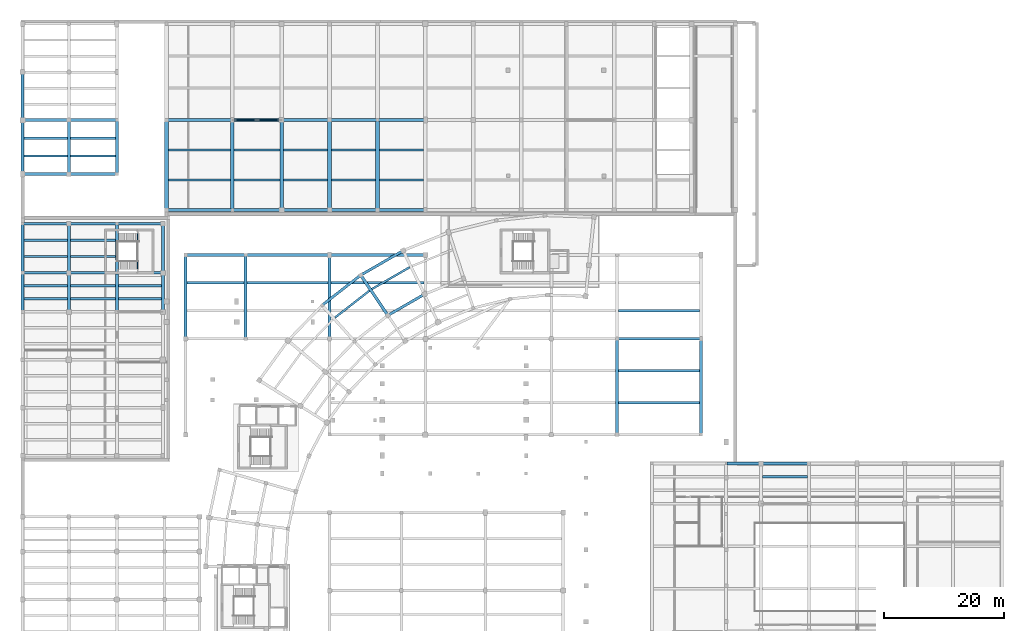
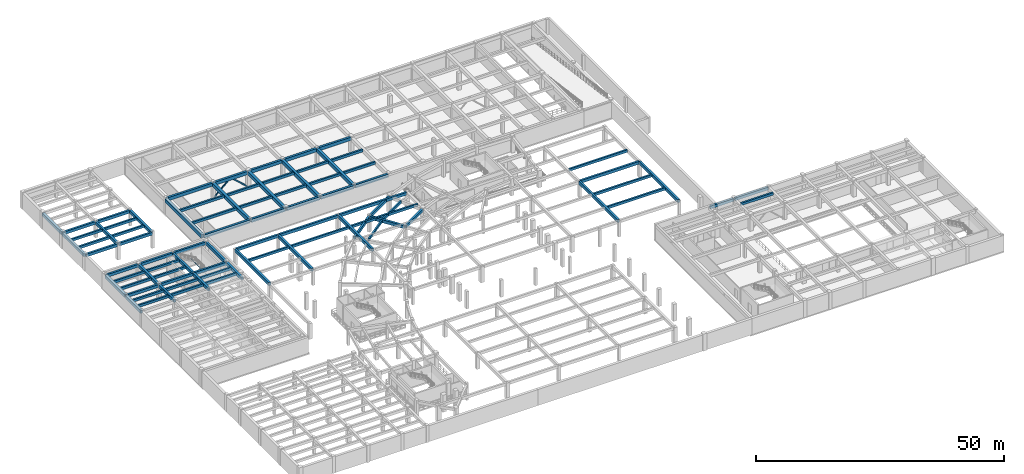
# One storey, part 6 of 35: 85 beams, 3 members.
"""IFC4 building model written with IfcOpenShell, lengths in metres."""

from ifc_helpers import new_model, si_unit, direction, frame, origin, origin_2d, place, context, subcontext, project, spatial, rectangle, hollow_rectangle, extrude, material, material_profile, profile_set, type_object, element, save


model = new_model("IFC4")

# Units and contexts
model_context = context("Model", 3, precision=1e-05, world=origin(), true_north=direction((0.0, 1.0)))
body_context = subcontext(model_context, "Body", "Model", "MODEL_VIEW")
ifc_project = project(units=[si_unit("LENGTHUNIT", "METRE"), si_unit("AREAUNIT", "SQUARE_METRE"), si_unit("VOLUMEUNIT", "CUBIC_METRE"), si_unit("PLANEANGLEUNIT", "RADIAN"), si_unit("MASSUNIT", "GRAM", prefix="KILO"), si_unit("THERMODYNAMICTEMPERATUREUNIT", "KELVIN"), si_unit("POWERUNIT", "WATT")], contexts=[model_context])

# Site, building, storey
site_placement = place(None, origin())
site = spatial("IfcSite", under=ifc_project, at=site_placement, CompositionType="ELEMENT")
building_placement = place(site_placement, origin())
building = spatial("IfcBuilding", under=site, at=building_placement, Name="Solvatero Civic Police Headquarters", CompositionType="ELEMENT")
storey_placement = place(building_placement, frame((0.0, 0.0, -4.199951171875)))
storey = spatial("IfcBuildingStorey", under=building, at=storey_placement, Name="B01", CompositionType="ELEMENT", Elevation=-4.199951171875)

# Beams
ifc_material_1 = material(Name="Concrete C40/50", Category="concrete")
ifc_material_profile_1 = material_profile(ifc_material_1, rectangle(XDim=0.35009765625, YDim=0.550048828125, at=origin_2d()), Name="RC 350x550")
ifc_profile_set_1 = profile_set([ifc_material_profile_1], Name="Concrete C40/50")
beam_type_1 = type_object("IfcBeamType", Name="BM-RC-350x550", PredefinedType="BEAM", material=ifc_profile_set_1)
for number, where, z_axis, x_axis, name in (
    (1, (69.3662109375, 75.937744140625, 3.625), (-0.866031812867, -0.49998889898, 0.0), (0.49998889898, -0.866031812867, 0.0), "Primary girder BM-R2-B01-ARC-CS2-B05"),
    (2, (62.656005859375, 72.0234375, 3.625), (-0.788014192221, -0.615657074074, 0.0), (0.615657074074, -0.788014192221, 0.0), "Primary girder BM-R2-B01-ARC-CS2-B06"),
):
    element("IfcBeam", number, at=place(storey_placement, frame(where, z_axis=z_axis, x_axis=x_axis)), inside=storey, type_object=beam_type_1, Name=name, PredefinedType="BEAM", context=body_context, shape_type="SweptSolid", body=[
        extrude(rectangle(XDim=0.35009765625, YDim=0.550048828125, at=origin_2d()), origin(), (0.0, 0.0, 1.0), 7.270751953125),
    ])
ifc_material_profile_2 = material_profile(ifc_material_1, rectangle(XDim=0.39990234375, YDim=0.60009765625, at=origin_2d()), Name="RC 400x600")
ifc_profile_set_2 = profile_set([ifc_material_profile_2], Name="Concrete C40/50")
beam_type_2 = type_object("IfcBeamType", Name="BM-RC-400x600", PredefinedType="BEAM", material=ifc_profile_set_2)
for number, where, z_axis, x_axis, name in (
    (3, (5.050048828125, 94.5, 3.599853515625), (1.0, 0.0, 0.0), (0.0, 1.0, 0.0), "Primary girder BM-R2-B01-V7NWB-SEC-1-1-S1"),
    (4, (5.050048828125, 97.5, 3.599853515625), (1.0, 0.0, 0.0), (0.0, 1.0, 0.0), "Primary girder BM-R2-B01-V7NWB-SEC-1-1-S2"),
):
    element("IfcBeam", number, at=place(storey_placement, frame(where, z_axis=z_axis, x_axis=x_axis)), inside=storey, type_object=beam_type_2, Name=name, PredefinedType="BEAM", context=body_context, shape_type="SweptSolid", body=[
        extrude(rectangle(XDim=0.39990234375, YDim=0.60009765625, at=origin_2d()), origin(), (0.0, 0.0, 1.0), 7.199951171875),
    ])
for number, where, z_axis, x_axis, name in (
    (5, (12.75, 94.5, 3.599853515625), (1.0, 0.0, 0.0), (0.0, 1.0, 0.0), "Primary girder BM-R2-B01-V7NWB-SEC-2-1-S1"),
    (6, (12.75, 97.5, 3.599853515625), (1.0, 0.0, 0.0), (0.0, 1.0, 0.0), "Primary girder BM-R2-B01-V7NWB-SEC-2-1-S2"),
):
    element("IfcBeam", number, at=place(storey_placement, frame(where, z_axis=z_axis, x_axis=x_axis)), inside=storey, type_object=beam_type_2, Name=name, PredefinedType="BEAM", context=body_context, shape_type="SweptSolid", body=[
        extrude(rectangle(XDim=0.39990234375, YDim=0.60009765625, at=origin_2d()), origin(), (0.0, 0.0, 1.0), 7.5),
    ])
beam_1_placement = place(storey_placement, frame((32.25, 73.333251953125, 3.639892578125), z_axis=(1.0, 0.0, 0.0), x_axis=(0.0, 1.0, 0.0)))
element("IfcBeam", 7, at=beam_1_placement, inside=storey, type_object=beam_type_2, Name="Primary girder BM-R2-B01-SUBM-SEC-1-2-S2", PredefinedType="BEAM", context=body_context, shape_type="SweptSolid", body=[
    extrude(rectangle(XDim=0.39990234375, YDim=0.60009765625, at=origin_2d()), origin(), (0.0, 0.0, 1.0), 9.5),
])
beam_2_placement = place(storey_placement, frame((42.25, 73.333251953125, 3.639892578125), z_axis=(1.0, 0.0, 0.0), x_axis=(0.0, 1.0, 0.0)))
element("IfcBeam", 8, at=beam_2_placement, inside=storey, type_object=beam_type_2, Name="Primary girder BM-R2-B01-SUBM-SEC-2-2-S2", PredefinedType="BEAM", context=body_context, shape_type="SweptSolid", body=[
    extrude(rectangle(XDim=0.39990234375, YDim=0.60009765625, at=origin_2d()), origin(), (0.0, 0.0, 1.0), 13.5),
])
beam_3_placement = place(storey_placement, frame((56.25, 73.333251953125, 3.639892578125), z_axis=(1.0, 0.0, 0.0), x_axis=(0.0, 1.0, 0.0)))
element("IfcBeam", 9, at=beam_3_placement, inside=storey, type_object=beam_type_2, Name="Primary girder BM-R2-B01-SUBM-SEC-3-2-S2", PredefinedType="BEAM", context=body_context, shape_type="SweptSolid", body=[
    extrude(rectangle(XDim=0.39990234375, YDim=0.60009765625, at=origin_2d()), origin(), (0.0, 0.0, 1.0), 15.5),
])
for number, where, z_axis, x_axis, name in (
    (10, (104.25, 53.333251953125, 3.639892578125), (1.0, 0.0, 0.0), (0.0, 1.0, 0.0), "Primary girder BM-R2-B01-SUBM-SEC-6-1-S1"),
    (11, (104.25, 58.666748046875, 3.639892578125), (1.0, 0.0, 0.0), (0.0, 1.0, 0.0), "Primary girder BM-R2-B01-SUBM-SEC-6-1-S2"),
    (12, (104.25, 68.666748046875, 3.639892578125), (1.0, 0.0, 0.0), (0.0, 1.0, 0.0), "Primary girder BM-R2-B01-SUBM-SEC-6-2-S1"),
):
    element("IfcBeam", number, at=place(storey_placement, frame(where, z_axis=z_axis, x_axis=x_axis)), inside=storey, type_object=beam_type_2, Name=name, PredefinedType="BEAM", context=body_context, shape_type="SweptSolid", body=[
        extrude(rectangle(XDim=0.39990234375, YDim=0.60009765625, at=origin_2d()), origin(), (0.0, 0.0, 1.0), 13.5),
    ])
for number, where, z_axis, x_axis, name in (
    (13, (5.050048828125, 70.666748046875, 3.599853515625), (1.0, 0.0, 0.0), (0.0, 1.0, 0.0), "Primary girder BM-R2-B01-V6B-SEC-1-4-S1"),
    (14, (5.050048828125, 72.833251953125, 3.599853515625), (1.0, 0.0, 0.0), (0.0, 1.0, 0.0), "Primary girder BM-R2-B01-V6B-SEC-1-4-S2"),
    (15, (5.050048828125, 77.7333984375, 3.599853515625), (1.0, 0.0, 0.0), (0.0, 1.0, 0.0), "Primary girder BM-R2-B01-V6B-SEC-1-5-S1"),
    (16, (5.050048828125, 80.466796875, 3.599853515625), (1.0, 0.0, 0.0), (0.0, 1.0, 0.0), "Primary girder BM-R2-B01-V6B-SEC-1-5-S2"),
):
    element("IfcBeam", number, at=place(storey_placement, frame(where, z_axis=z_axis, x_axis=x_axis)), inside=storey, type_object=beam_type_2, Name=name, PredefinedType="BEAM", context=body_context, shape_type="SweptSolid", body=[
        extrude(rectangle(XDim=0.39990234375, YDim=0.60009765625, at=origin_2d()), origin(), (0.0, 0.0, 1.0), 7.199951171875),
    ])
for number, where, z_axis, x_axis, name in (
    (17, (12.75, 70.666748046875, 3.599853515625), (1.0, 0.0, 0.0), (0.0, 1.0, 0.0), "Primary girder BM-R2-B01-V6B-SEC-2-4-S1"),
    (18, (12.75, 72.833251953125, 3.599853515625), (1.0, 0.0, 0.0), (0.0, 1.0, 0.0), "Primary girder BM-R2-B01-V6B-SEC-2-4-S2"),
    (19, (12.75, 77.7333984375, 3.599853515625), (1.0, 0.0, 0.0), (0.0, 1.0, 0.0), "Primary girder BM-R2-B01-V6B-SEC-2-5-S1"),
    (20, (12.75, 80.466796875, 3.599853515625), (1.0, 0.0, 0.0), (0.0, 1.0, 0.0), "Primary girder BM-R2-B01-V6B-SEC-2-5-S2"),
):
    element("IfcBeam", number, at=place(storey_placement, frame(where, z_axis=z_axis, x_axis=x_axis)), inside=storey, type_object=beam_type_2, Name=name, PredefinedType="BEAM", context=body_context, shape_type="SweptSolid", body=[
        extrude(rectangle(XDim=0.39990234375, YDim=0.60009765625, at=origin_2d()), origin(), (0.0, 0.0, 1.0), 7.5),
    ])
for number, where, z_axis, x_axis, name in (
    (21, (20.75, 70.666748046875, 3.599853515625), (1.0, 0.0, 0.0), (0.0, 1.0, 0.0), "Primary girder BM-R2-B01-V6B-SEC-3-4-S1"),
    (22, (20.75, 72.833251953125, 3.599853515625), (1.0, 0.0, 0.0), (0.0, 1.0, 0.0), "Primary girder BM-R2-B01-V6B-SEC-3-4-S2"),
):
    element("IfcBeam", number, at=place(storey_placement, frame(where, z_axis=z_axis, x_axis=x_axis)), inside=storey, type_object=beam_type_2, Name=name, PredefinedType="BEAM", context=body_context, shape_type="SweptSolid", body=[
        extrude(rectangle(XDim=0.39990234375, YDim=0.60009765625, at=origin_2d()), origin(), (0.0, 0.0, 1.0), 7.199951171875),
    ])
for number, where, z_axis, x_axis, name in (
    (23, (29.10009765625, 90.5, 3.579833984375), (1.0, 0.0, 0.0), (0.0, 1.0, 0.0), "Primary girder BM-R2-B01-V7B-SEC-1-1-S1"),
    (24, (29.10009765625, 95.5, 3.579833984375), (1.0, 0.0, 0.0), (0.0, 1.0, 0.0), "Primary girder BM-R2-B01-V7B-SEC-1-1-S2"),
):
    element("IfcBeam", number, at=place(storey_placement, frame(where, z_axis=z_axis, x_axis=x_axis)), inside=storey, type_object=beam_type_2, Name=name, PredefinedType="BEAM", context=body_context, shape_type="SweptSolid", body=[
        extrude(rectangle(XDim=0.39990234375, YDim=0.60009765625, at=origin_2d()), origin(), (0.0, 0.0, 1.0), 10.39990234375),
    ])
for number, where, z_axis, x_axis, name in (
    (25, (40.10009765625, 90.5, 3.579833984375), (1.0, 0.0, 0.0), (0.0, 1.0, 0.0), "Primary girder BM-R2-B01-V7B-SEC-2-1-S1"),
    (26, (40.10009765625, 95.5, 3.579833984375), (1.0, 0.0, 0.0), (0.0, 1.0, 0.0), "Primary girder BM-R2-B01-V7B-SEC-2-1-S2"),
):
    element("IfcBeam", number, at=place(storey_placement, frame(where, z_axis=z_axis, x_axis=x_axis)), inside=storey, type_object=beam_type_2, Name=name, PredefinedType="BEAM", context=body_context, shape_type="SweptSolid", body=[
        extrude(rectangle(XDim=0.39990234375, YDim=0.60009765625, at=origin_2d()), origin(), (0.0, 0.0, 1.0), 7.599853515625),
    ])
for number, where, z_axis, x_axis, name in (
    (27, (48.300048828125, 90.5, 3.579833984375), (1.0, 0.0, 0.0), (0.0, 1.0, 0.0), "Primary girder BM-R2-B01-V7B-SEC-3-1-S1"),
    (28, (48.300048828125, 95.5, 3.579833984375), (1.0, 0.0, 0.0), (0.0, 1.0, 0.0), "Primary girder BM-R2-B01-V7B-SEC-3-1-S2"),
    (29, (56.300048828125, 90.5, 3.579833984375), (1.0, 0.0, 0.0), (0.0, 1.0, 0.0), "Primary girder BM-R2-B01-V7B-SEC-4-1-S1"),
    (30, (56.300048828125, 95.5, 3.579833984375), (1.0, 0.0, 0.0), (0.0, 1.0, 0.0), "Primary girder BM-R2-B01-V7B-SEC-4-1-S2"),
    (31, (64.300048828125, 90.5, 3.579833984375), (1.0, 0.0, 0.0), (0.0, 1.0, 0.0), "Primary girder BM-R2-B01-V7B-SEC-5-1-S1"),
    (32, (64.300048828125, 95.5, 3.579833984375), (1.0, 0.0, 0.0), (0.0, 1.0, 0.0), "Primary girder BM-R2-B01-V7B-SEC-5-1-S2"),
):
    element("IfcBeam", number, at=place(storey_placement, frame(where, z_axis=z_axis, x_axis=x_axis)), inside=storey, type_object=beam_type_2, Name=name, PredefinedType="BEAM", context=body_context, shape_type="SweptSolid", body=[
        extrude(rectangle(XDim=0.39990234375, YDim=0.60009765625, at=origin_2d()), origin(), (0.0, 0.0, 1.0), 7.39990234375),
    ])
beam_4_placement = place(storey_placement, frame((128.25, 40.966796875, 3.599853515625), z_axis=(1.0, 0.0, 0.0), x_axis=(0.0, 1.0, 0.0)))
element("IfcBeam", 33, at=beam_4_placement, inside=storey, type_object=beam_type_2, Name="Primary girder BM-R2-B01-V3B-SEC-3-3-S2", PredefinedType="BEAM", context=body_context, shape_type="SweptSolid", body=[
    extrude(rectangle(XDim=0.39990234375, YDim=0.60009765625, at=origin_2d()), origin(), (0.0, 0.0, 1.0), 7.5),
])
ifc_material_profile_3 = material_profile(ifc_material_1, rectangle(XDim=0.449951171875, YDim=0.699951171875, at=origin_2d()), Name="RC 450x700")
ifc_profile_set_3 = profile_set([ifc_material_profile_3], Name="Concrete C40/50")
beam_type_3 = type_object("IfcBeamType", Name="BM-RC-450x700", PredefinedType="BEAM", material=ifc_profile_set_3)
beam_5_placement = place(storey_placement, frame((4.9599609375, 91.5, 3.550048828125), z_axis=(1.0, 0.0, 0.0), x_axis=(0.0, 1.0, 0.0)))
element("IfcBeam", 34, at=beam_5_placement, inside=storey, type_object=beam_type_3, Name="Primary girder BM-R2-B01-V7NWB-GX-1-1", PredefinedType="BEAM", context=body_context, shape_type="SweptSolid", body=[
    extrude(rectangle(XDim=0.449951171875, YDim=0.699951171875, at=origin_2d()), origin(), (0.0, 0.0, 1.0), 7.380126953125),
])
beam_6_placement = place(storey_placement, frame((12.659912109375, 91.5, 3.550048828125), z_axis=(1.0, 0.0, 0.0), x_axis=(0.0, 1.0, 0.0)))
element("IfcBeam", 35, at=beam_6_placement, inside=storey, type_object=beam_type_3, Name="Primary girder BM-R2-B01-V7NWB-GX-2-1", PredefinedType="BEAM", context=body_context, shape_type="SweptSolid", body=[
    extrude(rectangle(XDim=0.449951171875, YDim=0.699951171875, at=origin_2d()), origin(), (0.0, 0.0, 1.0), 7.68017578125),
])
beam_7_placement = place(storey_placement, frame((4.9599609375, 100.5, 3.550048828125), z_axis=(1.0, 0.0, 0.0), x_axis=(0.0, 1.0, 0.0)))
element("IfcBeam", 36, at=beam_7_placement, inside=storey, type_object=beam_type_3, Name="Primary girder BM-R2-B01-V7NWB-GX-1-2", PredefinedType="BEAM", context=body_context, shape_type="SweptSolid", body=[
    extrude(rectangle(XDim=0.449951171875, YDim=0.699951171875, at=origin_2d()), origin(), (0.0, 0.0, 1.0), 7.380126953125),
])
beam_8_placement = place(storey_placement, frame((12.659912109375, 100.5, 3.550048828125), z_axis=(1.0, 0.0, 0.0), x_axis=(0.0, 1.0, 0.0)))
element("IfcBeam", 37, at=beam_8_placement, inside=storey, type_object=beam_type_3, Name="Primary girder BM-R2-B01-V7NWB-GX-2-2", PredefinedType="BEAM", context=body_context, shape_type="SweptSolid", body=[
    extrude(rectangle(XDim=0.449951171875, YDim=0.699951171875, at=origin_2d()), origin(), (0.0, 0.0, 1.0), 7.68017578125),
])
beam_9_placement = place(storey_placement, frame((104.159912109375, 64.0, 3.58984375), z_axis=(1.0, 0.0, 0.0), x_axis=(0.0, 1.0, 0.0)))
element("IfcBeam", 38, at=beam_9_placement, inside=storey, type_object=beam_type_3, Name="Primary girder BM-R2-B01-SUBM-GX-6-2", PredefinedType="BEAM", context=body_context, shape_type="SweptSolid", body=[
    extrude(rectangle(XDim=0.449951171875, YDim=0.699951171875, at=origin_2d()), origin(), (0.0, 0.0, 1.0), 13.68017578125),
])
beam_10_placement = place(storey_placement, frame((32.159912109375, 78.0, 3.58984375), z_axis=(1.0, 0.0, 0.0), x_axis=(0.0, 1.0, 0.0)))
element("IfcBeam", 39, at=beam_10_placement, inside=storey, type_object=beam_type_3, Name="Primary girder BM-R2-B01-SUBM-GX-1-3", PredefinedType="BEAM", context=body_context, shape_type="SweptSolid", body=[
    extrude(rectangle(XDim=0.449951171875, YDim=0.699951171875, at=origin_2d()), origin(), (0.0, 0.0, 1.0), 9.68017578125),
])
beam_11_placement = place(storey_placement, frame((42.159912109375, 78.0, 3.58984375), z_axis=(1.0, 0.0, 0.0), x_axis=(0.0, 1.0, 0.0)))
element("IfcBeam", 40, at=beam_11_placement, inside=storey, type_object=beam_type_3, Name="Primary girder BM-R2-B01-SUBM-GX-2-3", PredefinedType="BEAM", context=body_context, shape_type="SweptSolid", body=[
    extrude(rectangle(XDim=0.449951171875, YDim=0.699951171875, at=origin_2d()), origin(), (0.0, 0.0, 1.0), 13.68017578125),
])
beam_12_placement = place(storey_placement, frame((56.159912109375, 78.0, 3.58984375), z_axis=(1.0, 0.0, 0.0), x_axis=(0.0, 1.0, 0.0)))
element("IfcBeam", 41, at=beam_12_placement, inside=storey, type_object=beam_type_3, Name="Primary girder BM-R2-B01-SUBM-GX-3-3", PredefinedType="BEAM", context=body_context, shape_type="SweptSolid", body=[
    extrude(rectangle(XDim=0.449951171875, YDim=0.699951171875, at=origin_2d()), origin(), (0.0, 0.0, 1.0), 15.68017578125),
])
beam_13_placement = place(storey_placement, frame((4.9599609375, 75.0, 3.550048828125), z_axis=(1.0, 0.0, 0.0), x_axis=(0.0, 1.0, 0.0)))
element("IfcBeam", 42, at=beam_13_placement, inside=storey, type_object=beam_type_3, Name="Primary girder BM-R2-B01-V6B-GX-1-5", PredefinedType="BEAM", context=body_context, shape_type="SweptSolid", body=[
    extrude(rectangle(XDim=0.449951171875, YDim=0.699951171875, at=origin_2d()), origin(), (0.0, 0.0, 1.0), 7.380126953125),
])
beam_14_placement = place(storey_placement, frame((12.659912109375, 75.0, 3.550048828125), z_axis=(1.0, 0.0, 0.0), x_axis=(0.0, 1.0, 0.0)))
element("IfcBeam", 43, at=beam_14_placement, inside=storey, type_object=beam_type_3, Name="Primary girder BM-R2-B01-V6B-GX-2-5", PredefinedType="BEAM", context=body_context, shape_type="SweptSolid", body=[
    extrude(rectangle(XDim=0.449951171875, YDim=0.699951171875, at=origin_2d()), origin(), (0.0, 0.0, 1.0), 7.68017578125),
])
for number, where, z_axis, x_axis, name in (
    (44, (20.659912109375, 75.0, 3.550048828125), (1.0, 0.0, 0.0), (0.0, 1.0, 0.0), "Primary girder BM-R2-B01-V6B-GX-3-5"),
    (45, (4.9599609375, 83.199951171875, 3.550048828125), (1.0, 0.0, 0.0), (0.0, 1.0, 0.0), "Primary girder BM-R2-B01-V6B-GX-1-6"),
):
    element("IfcBeam", number, at=place(storey_placement, frame(where, z_axis=z_axis, x_axis=x_axis)), inside=storey, type_object=beam_type_3, Name=name, PredefinedType="BEAM", context=body_context, shape_type="SweptSolid", body=[
        extrude(rectangle(XDim=0.449951171875, YDim=0.699951171875, at=origin_2d()), origin(), (0.0, 0.0, 1.0), 7.380126953125),
    ])
beam_15_placement = place(storey_placement, frame((12.659912109375, 83.199951171875, 3.550048828125), z_axis=(1.0, 0.0, 0.0), x_axis=(0.0, 1.0, 0.0)))
element("IfcBeam", 46, at=beam_15_placement, inside=storey, type_object=beam_type_3, Name="Primary girder BM-R2-B01-V6B-GX-2-6", PredefinedType="BEAM", context=body_context, shape_type="SweptSolid", body=[
    extrude(rectangle(XDim=0.449951171875, YDim=0.699951171875, at=origin_2d()), origin(), (0.0, 0.0, 1.0), 7.68017578125),
])
beam_16_placement = place(storey_placement, frame((20.659912109375, 83.199951171875, 3.550048828125), z_axis=(1.0, 0.0, 0.0), x_axis=(0.0, 1.0, 0.0)))
element("IfcBeam", 47, at=beam_16_placement, inside=storey, type_object=beam_type_3, Name="Primary girder BM-R2-B01-V6B-GX-3-6", PredefinedType="BEAM", context=body_context, shape_type="SweptSolid", body=[
    extrude(rectangle(XDim=0.449951171875, YDim=0.699951171875, at=origin_2d()), origin(), (0.0, 0.0, 1.0), 7.380126953125),
])
beam_17_placement = place(storey_placement, frame((122.360107421875, 43.199951171875, 3.550048828125), z_axis=(1.0, 0.0, 0.0), x_axis=(0.0, 1.0, 0.0)))
element("IfcBeam", 48, at=beam_17_placement, inside=storey, type_object=beam_type_3, Name="Primary girder BM-R2-B01-V3B-GX-2-4", PredefinedType="BEAM", context=body_context, shape_type="SweptSolid", body=[
    extrude(rectangle(XDim=0.449951171875, YDim=0.699951171875, at=origin_2d()), origin(), (0.0, 0.0, 1.0), 5.47998046875),
])
beam_18_placement = place(storey_placement, frame((128.159912109375, 43.199951171875, 3.550048828125), z_axis=(1.0, 0.0, 0.0), x_axis=(0.0, 1.0, 0.0)))
element("IfcBeam", 49, at=beam_18_placement, inside=storey, type_object=beam_type_3, Name="Primary girder BM-R2-B01-V3B-GX-3-4", PredefinedType="BEAM", context=body_context, shape_type="SweptSolid", body=[
    extrude(rectangle(XDim=0.449951171875, YDim=0.699951171875, at=origin_2d()), origin(), (0.0, 0.0, 1.0), 7.68017578125),
])
beam_19_placement = place(storey_placement, frame((71.70166015625, 71.35400390625, 3.550048828125), z_axis=(-0.866020720842, -0.500008111007, 0.0), x_axis=(0.500008111007, -0.866020720842, 0.0)))
element("IfcBeam", 50, at=beam_19_placement, inside=storey, type_object=beam_type_3, Name="Primary girder BM-R2-B01-ARC-CMID-B05", PredefinedType="BEAM", context=body_context, shape_type="SweptSolid", body=[
    extrude(rectangle(XDim=0.449951171875, YDim=0.699951171875, at=origin_2d()), origin(), (0.0, 0.0, 1.0), 6.732421875),
])
beam_20_placement = place(storey_placement, frame((68.15087890625, 78.63427734375, 3.550048828125), z_axis=(-0.866029424137, -0.499993036481, 0.0), x_axis=(0.499993036481, -0.866029424137, 0.0)))
element("IfcBeam", 51, at=beam_20_placement, inside=storey, type_object=beam_type_3, Name="Primary girder BM-R2-B01-ARC-COUT-B05", PredefinedType="BEAM", context=body_context, shape_type="SweptSolid", body=[
    extrude(rectangle(XDim=0.449951171875, YDim=0.699951171875, at=origin_2d()), origin(), (0.0, 0.0, 1.0), 7.8623046875),
])
beam_21_placement = place(storey_placement, frame((61.0771484375, 74.524658203125, 3.550048828125), z_axis=(-0.787990948546, -0.615686823807, 0.0), x_axis=(0.615686823807, -0.787990948546, 0.0)))
element("IfcBeam", 52, at=beam_21_placement, inside=storey, type_object=beam_type_3, Name="Primary girder BM-R2-B01-ARC-COUT-B06", PredefinedType="BEAM", context=body_context, shape_type="SweptSolid", body=[
    extrude(rectangle(XDim=0.449951171875, YDim=0.699951171875, at=origin_2d()), origin(), (0.0, 0.0, 1.0), 7.862548828125),
])
ifc_material_profile_4 = material_profile(ifc_material_1, rectangle(XDim=0.5, YDim=0.75, at=origin_2d()), Name="RC 500x750")
ifc_profile_set_4 = profile_set([ifc_material_profile_4], Name="Concrete C40/50")
beam_type_4 = type_object("IfcBeamType", Name="BM-RC-500x750", PredefinedType="BEAM", material=ifc_profile_set_4)
beam_22_placement = place(storey_placement, frame((4.800048828125, 91.659912109375, 3.52490234375), z_axis=(0.0, 1.0, 0.0), x_axis=(-1.0, 0.0, 0.0)))
element("IfcBeam", 53, at=beam_22_placement, inside=storey, type_object=beam_type_4, Name="Primary girder BM-R2-B01-V7NWB-GY-1-1", PredefinedType="BEAM", context=body_context, shape_type="SweptSolid", body=[
    extrude(rectangle(XDim=0.5, YDim=0.75, at=origin_2d()), origin(), (0.0, 0.0, 1.0), 8.68017578125),
])
beam_23_placement = place(storey_placement, frame((4.800048828125, 100.659912109375, 3.52490234375), z_axis=(0.0, 1.0, 0.0), x_axis=(-1.0, 0.0, 0.0)))
element("IfcBeam", 54, at=beam_23_placement, inside=storey, type_object=beam_type_4, Name="Primary girder BM-R2-B01-V7NWB-GY-1-2", PredefinedType="BEAM", context=body_context, shape_type="SweptSolid", body=[
    extrude(rectangle(XDim=0.5, YDim=0.75, at=origin_2d()), origin(), (0.0, 0.0, 1.0), 7.68017578125),
])
for number, where, z_axis, x_axis, name in (
    (55, (12.5, 91.659912109375, 3.52490234375), (0.0, 1.0, 0.0), (-1.0, 0.0, 0.0), "Primary girder BM-R2-B01-V7NWB-GY-2-1"),
    (56, (20.5, 91.659912109375, 3.52490234375), (0.0, 1.0, 0.0), (-1.0, 0.0, 0.0), "Primary girder BM-R2-B01-V7NWB-GY-3-1"),
):
    element("IfcBeam", number, at=place(storey_placement, frame(where, z_axis=z_axis, x_axis=x_axis)), inside=storey, type_object=beam_type_4, Name=name, PredefinedType="BEAM", context=body_context, shape_type="SweptSolid", body=[
        extrude(rectangle(XDim=0.5, YDim=0.75, at=origin_2d()), origin(), (0.0, 0.0, 1.0), 8.68017578125),
    ])
for number, where, z_axis, x_axis, name in (
    (57, (32.0, 64.159912109375, 3.56494140625), (0.0, 1.0, 0.0), (-1.0, 0.0, 0.0), "Primary girder BM-R2-B01-SUBM-GY-1-2"),
    (58, (42.0, 64.159912109375, 3.56494140625), (0.0, 1.0, 0.0), (-1.0, 0.0, 0.0), "Primary girder BM-R2-B01-SUBM-GY-2-2"),
    (59, (56.0, 64.159912109375, 3.56494140625), (0.0, 1.0, 0.0), (-1.0, 0.0, 0.0), "Primary girder BM-R2-B01-SUBM-GY-3-2"),
):
    element("IfcBeam", number, at=place(storey_placement, frame(where, z_axis=z_axis, x_axis=x_axis)), inside=storey, type_object=beam_type_4, Name=name, PredefinedType="BEAM", context=body_context, shape_type="SweptSolid", body=[
        extrude(rectangle(XDim=0.5, YDim=0.75, at=origin_2d()), origin(), (0.0, 0.0, 1.0), 13.68017578125),
    ])
for number, where, z_axis, x_axis, name in (
    (60, (104.0, 48.159912109375, 3.56494140625), (0.0, 1.0, 0.0), (-1.0, 0.0, 0.0), "Primary girder BM-R2-B01-SUBM-GY-6-1"),
    (61, (118.0, 48.159912109375, 3.56494140625), (0.0, 1.0, 0.0), (-1.0, 0.0, 0.0), "Primary girder BM-R2-B01-SUBM-GY-7-1"),
):
    element("IfcBeam", number, at=place(storey_placement, frame(where, z_axis=z_axis, x_axis=x_axis)), inside=storey, type_object=beam_type_4, Name=name, PredefinedType="BEAM", context=body_context, shape_type="SweptSolid", body=[
        extrude(rectangle(XDim=0.5, YDim=0.75, at=origin_2d()), origin(), (0.0, 0.0, 1.0), 15.68017578125),
    ])
beam_24_placement = place(storey_placement, frame((4.800048828125, 68.659912109375, 3.52490234375), z_axis=(0.0, 1.0, 0.0), x_axis=(-1.0, 0.0, 0.0)))
element("IfcBeam", 62, at=beam_24_placement, inside=storey, type_object=beam_type_4, Name="Primary girder BM-R2-B01-V6B-GY-1-4", PredefinedType="BEAM", context=body_context, shape_type="SweptSolid", body=[
    extrude(rectangle(XDim=0.5, YDim=0.75, at=origin_2d()), origin(), (0.0, 0.0, 1.0), 6.18017578125),
])
beam_25_placement = place(storey_placement, frame((4.800048828125, 75.159912109375, 3.52490234375), z_axis=(0.0, 1.0, 0.0), x_axis=(-1.0, 0.0, 0.0)))
element("IfcBeam", 63, at=beam_25_placement, inside=storey, type_object=beam_type_4, Name="Primary girder BM-R2-B01-V6B-GY-1-5", PredefinedType="BEAM", context=body_context, shape_type="SweptSolid", body=[
    extrude(rectangle(XDim=0.5, YDim=0.75, at=origin_2d()), origin(), (0.0, 0.0, 1.0), 7.880126953125),
])
beam_26_placement = place(storey_placement, frame((12.5, 68.659912109375, 3.52490234375), z_axis=(0.0, 1.0, 0.0), x_axis=(-1.0, 0.0, 0.0)))
element("IfcBeam", 64, at=beam_26_placement, inside=storey, type_object=beam_type_4, Name="Primary girder BM-R2-B01-V6B-GY-2-4", PredefinedType="BEAM", context=body_context, shape_type="SweptSolid", body=[
    extrude(rectangle(XDim=0.5, YDim=0.75, at=origin_2d()), origin(), (0.0, 0.0, 1.0), 6.18017578125),
])
beam_27_placement = place(storey_placement, frame((12.5, 75.159912109375, 3.52490234375), z_axis=(0.0, 1.0, 0.0), x_axis=(-1.0, 0.0, 0.0)))
element("IfcBeam", 65, at=beam_27_placement, inside=storey, type_object=beam_type_4, Name="Primary girder BM-R2-B01-V6B-GY-2-5", PredefinedType="BEAM", context=body_context, shape_type="SweptSolid", body=[
    extrude(rectangle(XDim=0.5, YDim=0.75, at=origin_2d()), origin(), (0.0, 0.0, 1.0), 7.880126953125),
])
beam_28_placement = place(storey_placement, frame((20.5, 68.659912109375, 3.52490234375), z_axis=(0.0, 1.0, 0.0), x_axis=(-1.0, 0.0, 0.0)))
element("IfcBeam", 66, at=beam_28_placement, inside=storey, type_object=beam_type_4, Name="Primary girder BM-R2-B01-V6B-GY-3-4", PredefinedType="BEAM", context=body_context, shape_type="SweptSolid", body=[
    extrude(rectangle(XDim=0.5, YDim=0.75, at=origin_2d()), origin(), (0.0, 0.0, 1.0), 6.18017578125),
])
beam_29_placement = place(storey_placement, frame((20.5, 75.159912109375, 3.52490234375), z_axis=(0.0, 1.0, 0.0), x_axis=(-1.0, 0.0, 0.0)))
element("IfcBeam", 67, at=beam_29_placement, inside=storey, type_object=beam_type_4, Name="Primary girder BM-R2-B01-V6B-GY-3-5", PredefinedType="BEAM", context=body_context, shape_type="SweptSolid", body=[
    extrude(rectangle(XDim=0.5, YDim=0.75, at=origin_2d()), origin(), (0.0, 0.0, 1.0), 7.880126953125),
])
beam_30_placement = place(storey_placement, frame((28.199951171875, 68.659912109375, 3.52490234375), z_axis=(0.0, 1.0, 0.0), x_axis=(-1.0, 0.0, 0.0)))
element("IfcBeam", 68, at=beam_30_placement, inside=storey, type_object=beam_type_4, Name="Primary girder BM-R2-B01-V6B-GY-4-4", PredefinedType="BEAM", context=body_context, shape_type="SweptSolid", body=[
    extrude(rectangle(XDim=0.5, YDim=0.75, at=origin_2d()), origin(), (0.0, 0.0, 1.0), 6.18017578125),
])
beam_31_placement = place(storey_placement, frame((28.199951171875, 75.159912109375, 3.52490234375), z_axis=(0.0, 1.0, 0.0), x_axis=(-1.0, 0.0, 0.0)))
element("IfcBeam", 69, at=beam_31_placement, inside=storey, type_object=beam_type_4, Name="Primary girder BM-R2-B01-V6B-GY-4-5", PredefinedType="BEAM", context=body_context, shape_type="SweptSolid", body=[
    extrude(rectangle(XDim=0.5, YDim=0.75, at=origin_2d()), origin(), (0.0, 0.0, 1.0), 7.880126953125),
])
beam_32_placement = place(storey_placement, frame((65.643310546875, 68.040283203125, 3.52490234375), z_axis=(-0.55918179599, 0.829045064537, 0.0), x_axis=(-0.829045064537, -0.55918179599, 0.0)))
element("IfcBeam", 70, at=beam_32_placement, inside=storey, type_object=beam_type_4, Name="Primary girder BM-R2-B01-ARC-RAD2-S05", PredefinedType="BEAM", context=body_context, shape_type="SweptSolid", body=[
    extrude(rectangle(XDim=0.5, YDim=0.75, at=origin_2d()), origin(), (0.0, 0.0, 1.0), 7.7802734375),
])
ifc_material_profile_5 = material_profile(ifc_material_1, rectangle(XDim=0.5, YDim=0.800048828125, at=origin_2d()), Name="RC 500x800")
ifc_profile_set_5 = profile_set([ifc_material_profile_5], Name="Concrete C40/50")
beam_type_5 = type_object("IfcBeamType", Name="BM-RC-500x800", PredefinedType="BEAM", material=ifc_profile_set_5)
beam_33_placement = place(storey_placement, frame((28.9599609375, 85.5, 3.47998046875), z_axis=(1.0, 0.0, 0.0), x_axis=(0.0, 1.0, 0.0)))
element("IfcBeam", 71, at=beam_33_placement, inside=storey, type_object=beam_type_5, Name="Primary girder BM-R2-B01-V7B-GX-1-1", PredefinedType="BEAM", context=body_context, shape_type="SweptSolid", body=[
    extrude(rectangle(XDim=0.5, YDim=0.800048828125, at=origin_2d()), origin(), (0.0, 0.0, 1.0), 10.679931640625),
])
beam_34_placement = place(storey_placement, frame((39.9599609375, 85.5, 3.47998046875), z_axis=(1.0, 0.0, 0.0), x_axis=(0.0, 1.0, 0.0)))
element("IfcBeam", 72, at=beam_34_placement, inside=storey, type_object=beam_type_5, Name="Primary girder BM-R2-B01-V7B-GX-2-1", PredefinedType="BEAM", context=body_context, shape_type="SweptSolid", body=[
    extrude(rectangle(XDim=0.5, YDim=0.800048828125, at=origin_2d()), origin(), (0.0, 0.0, 1.0), 7.880126953125),
])
for number, where, z_axis, x_axis, name in (
    (73, (48.159912109375, 85.5, 3.47998046875), (1.0, 0.0, 0.0), (0.0, 1.0, 0.0), "Primary girder BM-R2-B01-V7B-GX-3-1"),
    (74, (56.159912109375, 85.5, 3.47998046875), (1.0, 0.0, 0.0), (0.0, 1.0, 0.0), "Primary girder BM-R2-B01-V7B-GX-4-1"),
    (75, (64.159912109375, 85.5, 3.47998046875), (1.0, 0.0, 0.0), (0.0, 1.0, 0.0), "Primary girder BM-R2-B01-V7B-GX-5-1"),
):
    element("IfcBeam", number, at=place(storey_placement, frame(where, z_axis=z_axis, x_axis=x_axis)), inside=storey, type_object=beam_type_5, Name=name, PredefinedType="BEAM", context=body_context, shape_type="SweptSolid", body=[
        extrude(rectangle(XDim=0.5, YDim=0.800048828125, at=origin_2d()), origin(), (0.0, 0.0, 1.0), 7.68017578125),
    ])
beam_35_placement = place(storey_placement, frame((28.9599609375, 100.5, 3.47998046875), z_axis=(1.0, 0.0, 0.0), x_axis=(0.0, 1.0, 0.0)))
element("IfcBeam", 76, at=beam_35_placement, inside=storey, type_object=beam_type_5, Name="Primary girder BM-R2-B01-V7B-GX-1-2", PredefinedType="BEAM", context=body_context, shape_type="SweptSolid", body=[
    extrude(rectangle(XDim=0.5, YDim=0.800048828125, at=origin_2d()), origin(), (0.0, 0.0, 1.0), 10.679931640625),
])
beam_36_placement = place(storey_placement, frame((39.9599609375, 100.5, 3.47998046875), z_axis=(1.0, 0.0, 0.0), x_axis=(0.0, 1.0, 0.0)))
element("IfcBeam", 77, at=beam_36_placement, inside=storey, type_object=beam_type_5, Name="Primary girder BM-R2-B01-V7B-GX-2-2", PredefinedType="BEAM", context=body_context, shape_type="SweptSolid", body=[
    extrude(rectangle(XDim=0.5, YDim=0.800048828125, at=origin_2d()), origin(), (0.0, 0.0, 1.0), 7.880126953125),
])
for number, where, z_axis, x_axis, name in (
    (78, (48.159912109375, 100.5, 3.47998046875), (1.0, 0.0, 0.0), (0.0, 1.0, 0.0), "Primary girder BM-R2-B01-V7B-GX-3-2"),
    (79, (56.159912109375, 100.5, 3.47998046875), (1.0, 0.0, 0.0), (0.0, 1.0, 0.0), "Primary girder BM-R2-B01-V7B-GX-4-2"),
    (80, (64.159912109375, 100.5, 3.47998046875), (1.0, 0.0, 0.0), (0.0, 1.0, 0.0), "Primary girder BM-R2-B01-V7B-GX-5-2"),
):
    element("IfcBeam", number, at=place(storey_placement, frame(where, z_axis=z_axis, x_axis=x_axis)), inside=storey, type_object=beam_type_5, Name=name, PredefinedType="BEAM", context=body_context, shape_type="SweptSolid", body=[
        extrude(rectangle(XDim=0.5, YDim=0.800048828125, at=origin_2d()), origin(), (0.0, 0.0, 1.0), 7.68017578125),
    ])
ifc_material_profile_6 = material_profile(ifc_material_1, rectangle(XDim=0.60009765625, YDim=0.89990234375, at=origin_2d()), Name="RC 600x900")
ifc_profile_set_6 = profile_set([ifc_material_profile_6], Name="Concrete C40/50")
beam_type_6 = type_object("IfcBeamType", Name="BM-RC-600x900", PredefinedType="BEAM", material=ifc_profile_set_6)
for number, where, z_axis, x_axis, name in (
    (81, (28.800048828125, 85.659912109375, 3.429931640625), (0.0, 1.0, 0.0), (-1.0, 0.0, 0.0), "Primary girder BM-R2-B01-V7B-GY-1-1"),
    (82, (39.800048828125, 85.659912109375, 3.429931640625), (0.0, 1.0, 0.0), (-1.0, 0.0, 0.0), "Primary girder BM-R2-B01-V7B-GY-2-1"),
    (83, (48.0, 85.659912109375, 3.429931640625), (0.0, 1.0, 0.0), (-1.0, 0.0, 0.0), "Primary girder BM-R2-B01-V7B-GY-3-1"),
    (84, (56.0, 85.659912109375, 3.429931640625), (0.0, 1.0, 0.0), (-1.0, 0.0, 0.0), "Primary girder BM-R2-B01-V7B-GY-4-1"),
    (85, (64.0, 85.659912109375, 3.429931640625), (0.0, 1.0, 0.0), (-1.0, 0.0, 0.0), "Primary girder BM-R2-B01-V7B-GY-5-1"),
):
    element("IfcBeam", number, at=place(storey_placement, frame(where, z_axis=z_axis, x_axis=x_axis)), inside=storey, type_object=beam_type_6, Name=name, PredefinedType="BEAM", context=body_context, shape_type="SweptSolid", body=[
        extrude(rectangle(XDim=0.60009765625, YDim=0.89990234375, at=origin_2d()), origin(), (0.0, 0.0, 1.0), 14.68017578125),
    ])

# Members
ifc_material_2 = material(Name="Steel S355", Category="steel")
ifc_material_profile_7 = material_profile(ifc_material_2, hollow_rectangle(XDim=0.10009765625, YDim=0.14990234375, WallThickness=0.00634765625, InnerFilletRadius=0.00634765625, OuterFilletRadius=0.0126953125, at=origin_2d()), Name="RHS 150x100x6.3")
ifc_profile_set_7 = profile_set([ifc_material_profile_7], Name="Steel S355")
member_type_1 = type_object("IfcMemberType", Name="MB-BR-RHS150", PredefinedType="BRACE", material=ifc_profile_set_7)
member_placement = place(storey_placement, frame((23.93994140625, 75.080078125, 1.824951171875), z_axis=(0.0, 1.0, 0.0), x_axis=(-1.0, 0.0, 0.0)))
element("IfcMember", 86, at=member_placement, inside=storey, type_object=member_type_1, Name="ST-C4 B01 Landing Support Beam", PredefinedType="BRACE", context=body_context, shape_type="SweptSolid", body=[
    extrude(hollow_rectangle(XDim=0.10009765625, YDim=0.14990234375, WallThickness=0.00634765625, InnerFilletRadius=0.00634765625, OuterFilletRadius=0.0126953125, at=origin_2d()), origin(), (0.0, 0.0, 1.0), 7.0400390625),
])
ifc_material_profile_8 = material_profile(ifc_material_2, hollow_rectangle(XDim=0.199951171875, YDim=0.300048828125, WallThickness=0.012451171875, InnerFilletRadius=0.012451171875, OuterFilletRadius=0.02490234375, at=origin_2d()), Name="RHS 300x200x12.5")
ifc_profile_set_8 = profile_set([ifc_material_profile_8], Name="Steel S355")
member_type_2 = type_object("IfcMemberType", Name="MB-BR-RHS300", PredefinedType="BRACE", material=ifc_profile_set_8)
for number, where, z_axis, x_axis, name in (
    (87, (40.10009765625, 100.5, 0.119873046875), (0.742287809347, 0.0, 0.670081195151), (0.0, 1.0, 0.0), "Chevron Brace BR-V7-INT1 Left B01"),
    (88, (47.699951171875, 100.5, 0.119873046875), (-0.742309222613, 0.0, 0.670057473672), (0.0, -1.0, 0.0), "Chevron Brace BR-V7-INT1 Right B01"),
):
    element("IfcMember", number, at=place(storey_placement, frame(where, z_axis=z_axis, x_axis=x_axis)), inside=storey, type_object=member_type_2, Name=name, PredefinedType="BRACE", context=body_context, shape_type="SweptSolid", body=[
        extrude(hollow_rectangle(XDim=0.199951171875, YDim=0.300048828125, WallThickness=0.012451171875, InnerFilletRadius=0.012451171875, OuterFilletRadius=0.02490234375, at=origin_2d()), origin(), (0.0, 0.0, 1.0), 5.119140625),
    ])

save(model, "model.ifc")
